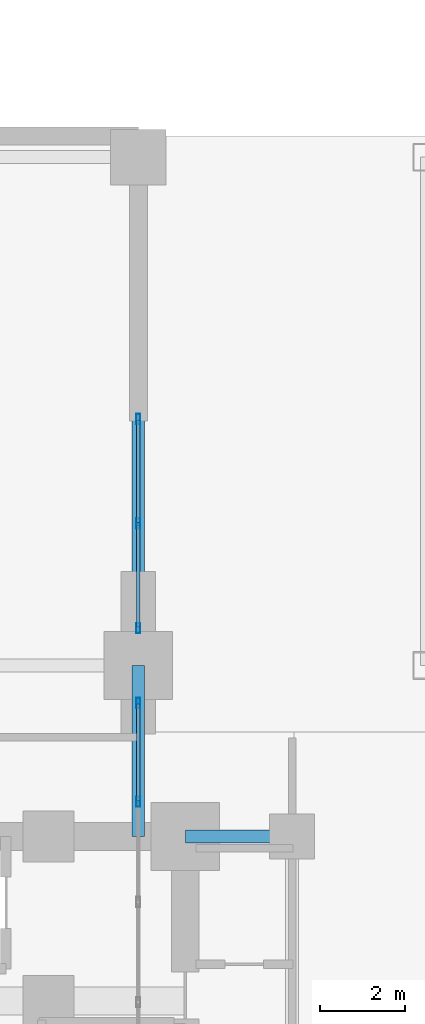
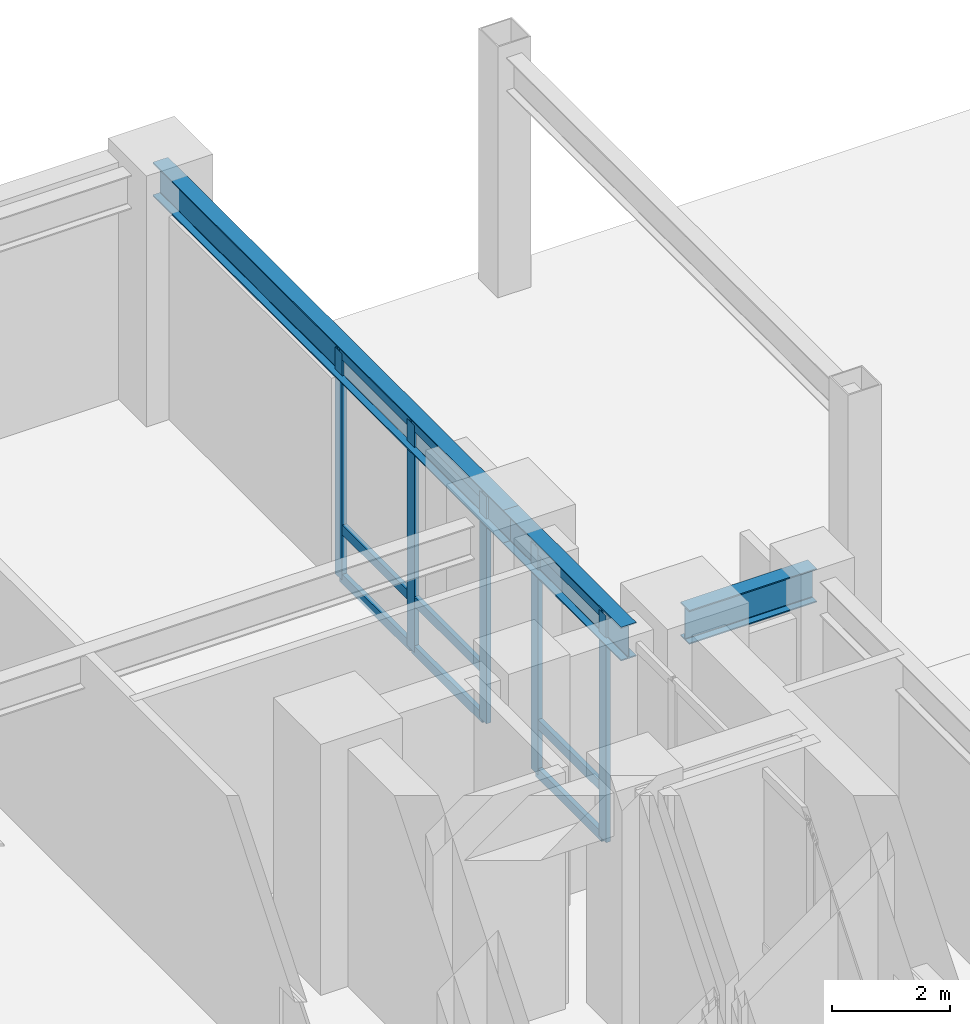
# One storey, part 12 of 23: 14 members, 3 beams, 2 elements without a shape of their own.
"""IFC4 building model written with IfcOpenShell, lengths in metres."""

from ifc_helpers import new_model, si_unit, direction, frame, origin, origin_2d, place, context, subcontext, project, spatial, hollow_rectangle, i_section, extrude, material, layer, layer_set, material_profile, profile_set, type_object, element, aggregate, save


model = new_model("IFC4")

# Units and contexts
model_context = context("Model", 3, precision=1e-05, world=origin(), true_north=direction((0.0, 1.0)))
body_context = subcontext(model_context, "Body", "Model", "MODEL_VIEW")
ifc_project = project(units=[si_unit("LENGTHUNIT", "METRE"), si_unit("AREAUNIT", "SQUARE_METRE"), si_unit("VOLUMEUNIT", "CUBIC_METRE"), si_unit("PLANEANGLEUNIT", "RADIAN"), si_unit("MASSUNIT", "GRAM", prefix="KILO")], contexts=[model_context])

# Site, building, storey
site_placement = place(None, origin())
site = spatial("IfcSite", under=ifc_project, at=site_placement, CompositionType="ELEMENT")
building_placement = place(site_placement, origin())
building = spatial("IfcBuilding", under=site, at=building_placement, Name="Voryun Gate Residences", CompositionType="ELEMENT")
storey_placement = place(building_placement, origin())
storey = spatial("IfcBuildingStorey", under=building, at=storey_placement, Name="L00", CompositionType="ELEMENT", Elevation=0.0)

# Beams
ifc_material_1 = material(Name="Steel SM355", Category="steel")
ifc_material_profile_1 = material_profile(ifc_material_1, i_section(OverallWidth=0.300048828125, OverallDepth=0.699951171875, WebThickness=0.012939453125, FlangeThickness=0.02392578125, FilletRadius=0.01806640625, at=origin_2d()), Name="H-700x300x13x24")
ifc_profile_set_1 = profile_set([ifc_material_profile_1], Name="Steel SM355")
beam_type = type_object("IfcBeamType", Name="BM_GIRD_700", PredefinedType="USERDEFINED", material=ifc_profile_set_1)
beam_1_placement = place(storey_placement, frame((-12.39990234375, 7.39990234375, 4.570068359375), z_axis=(1.0, 0.0, 0.0), x_axis=(0.0, 1.0, 0.0)))
element("IfcBeam", 1, at=beam_1_placement, inside=storey, type_object=beam_type, Name="BM-L00-CLRX-CLR-WN", ObjectType="GIRDER", PredefinedType="USERDEFINED", context=body_context, shape_type="SweptSolid", body=[
    extrude(i_section(OverallWidth=0.300048828125, OverallDepth=0.699951171875, WebThickness=0.012939453125, FlangeThickness=0.02392578125, FilletRadius=0.01806640625, at=origin_2d()), origin(), (0.0, 0.0, 1.0), 2.5),
])
beam_2_placement = place(storey_placement, frame((-13.5, 7.39990234375, 4.570068359375), z_axis=(0.0, 1.0, 0.0), x_axis=(-1.0, 0.0, 0.0)))
element("IfcBeam", 2, at=beam_2_placement, inside=storey, type_object=beam_type, Name="BM-L00-PWYA-+7.4", ObjectType="GIRDER", PredefinedType="USERDEFINED", context=body_context, shape_type="SweptSolid", body=[
    extrude(i_section(OverallWidth=0.300048828125, OverallDepth=0.699951171875, WebThickness=0.012939453125, FlangeThickness=0.02392578125, FilletRadius=0.01806640625, at=origin_2d()), origin(), (0.0, 0.0, 1.0), 4.0),
])
beam_3_placement = place(storey_placement, frame((-13.5, 11.39990234375, 4.570068359375), z_axis=(0.0, 1.0, 0.0), x_axis=(-1.0, 0.0, 0.0)))
element("IfcBeam", 3, at=beam_3_placement, inside=storey, type_object=beam_type, Name="BM-L00-PWYA-+11.4", ObjectType="GIRDER", PredefinedType="USERDEFINED", context=body_context, shape_type="SweptSolid", body=[
    extrude(i_section(OverallWidth=0.300048828125, OverallDepth=0.699951171875, WebThickness=0.012939453125, FlangeThickness=0.02392578125, FilletRadius=0.01806640625, at=origin_2d()), origin(), (0.0, 0.0, 1.0), 11.900146484375),
])

# Curtain wall, members
ifc_material_2 = material(Name="Anodised aluminium", Category="aluminium")
ifc_layer = layer(ifc_material_2, 0.239990234375, Name="CW_SYS_ARCH_DARK_GLASS")
ifc_layer_set = layer_set([ifc_layer], Name="Anodised aluminium")
curtain_wall_type = type_object("IfcCurtainWallType", Name="CW_SYS_ARCH_DARK_GLASS", PredefinedType="NOTDEFINED", material=ifc_layer_set)
curtain_wall_1_placement = place(storey_placement, origin())
curtain_wall_1 = element("IfcCurtainWall", 4, at=curtain_wall_1_placement, inside=storey, type_object=curtain_wall_type, Name="Curtain wall CW2-L00-WP-M", PredefinedType="NOTDEFINED")
ifc_material_3 = material(Name="Anodised aluminium", Category="aluminium")
ifc_material_profile_2 = material_profile(ifc_material_3, hollow_rectangle(XDim=0.090087890625, YDim=0.239990234375, WallThickness=0.006103515625, at=origin_2d()), Name="ALU-MULL-240x90x6")
ifc_profile_set_2 = profile_set([ifc_material_profile_2], Name="Anodised aluminium")
member_type_1 = type_object("IfcMemberType", Name="CW_MULL_ARCH", PredefinedType="MULLION", material=ifc_profile_set_2)
member_1_placement = place(storey_placement, frame((-13.5, 8.20947265625, 0.0), z_axis=(0.0, 0.0, 1.0), x_axis=(-1.0, 0.0, 0.0)))
member_1 = element("IfcMember", 5, at=member_1_placement, type_object=member_type_1, Name="CW2 mullion 9", PredefinedType="MULLION", context=body_context, shape_type="SweptSolid", body=[
    extrude(hollow_rectangle(XDim=0.090087890625, YDim=0.239990234375, WallThickness=0.006103515625, at=origin_2d()), origin(), (0.0, 0.0, 1.0), 4.699951171875),
])
member_2_placement = place(storey_placement, frame((-13.5, 10.52490234375, 0.0), z_axis=(0.0, 0.0, 1.0), x_axis=(-1.0, 0.0, 0.0)))
member_2 = element("IfcMember", 6, at=member_2_placement, type_object=member_type_1, Name="CW2 mullion 10", PredefinedType="MULLION", context=body_context, shape_type="SweptSolid", body=[
    extrude(hollow_rectangle(XDim=0.090087890625, YDim=0.239990234375, WallThickness=0.006103515625, at=origin_2d()), origin(), (0.0, 0.0, 1.0), 4.699951171875),
])

curtain_wall_2_placement = place(storey_placement, origin())
curtain_wall_2 = element("IfcCurtainWall", 7, at=curtain_wall_2_placement, inside=storey, type_object=curtain_wall_type, Name="Curtain wall CW2-L00-WP-N", PredefinedType="NOTDEFINED")
member_3_placement = place(storey_placement, frame((-13.5, 12.27490234375, 0.0), z_axis=(0.0, 0.0, 1.0), x_axis=(-1.0, 0.0, 0.0)))
member_3 = element("IfcMember", 8, at=member_3_placement, type_object=member_type_1, Name="CW2 mullion 1", PredefinedType="MULLION", context=body_context, shape_type="SweptSolid", body=[
    extrude(hollow_rectangle(XDim=0.090087890625, YDim=0.239990234375, WallThickness=0.006103515625, at=origin_2d()), origin(), (0.0, 0.0, 1.0), 4.699951171875),
])
member_4_placement = place(storey_placement, frame((-13.5, 14.722412109375, 0.0), z_axis=(0.0, 0.0, 1.0), x_axis=(-1.0, 0.0, 0.0)))
member_4 = element("IfcMember", 9, at=member_4_placement, type_object=member_type_1, Name="CW2 mullion 2", PredefinedType="MULLION", context=body_context, shape_type="SweptSolid", body=[
    extrude(hollow_rectangle(XDim=0.090087890625, YDim=0.239990234375, WallThickness=0.006103515625, at=origin_2d()), origin(), (0.0, 0.0, 1.0), 4.699951171875),
])
member_5_placement = place(storey_placement, frame((-13.5, 17.169921875, 0.0), z_axis=(0.0, 0.0, 1.0), x_axis=(-1.0, 0.0, 0.0)))
member_5 = element("IfcMember", 10, at=member_5_placement, type_object=member_type_1, Name="CW2 mullion 3", PredefinedType="MULLION", context=body_context, shape_type="SweptSolid", body=[
    extrude(hollow_rectangle(XDim=0.090087890625, YDim=0.239990234375, WallThickness=0.006103515625, at=origin_2d()), origin(), (0.0, 0.0, 1.0), 4.699951171875),
])

# Member
ifc_material_4 = material(Name="Anodised aluminium", Category="aluminium")
ifc_material_profile_3 = material_profile(ifc_material_4, hollow_rectangle(XDim=0.090087890625, YDim=0.199951171875, WallThickness=0.006103515625, at=origin_2d()), Name="ALU-TRAN-200x90x6")
ifc_profile_set_3 = profile_set([ifc_material_profile_3], Name="Anodised aluminium")
member_type_2 = type_object("IfcMemberType", Name="CW_TRAN_ARCH", PredefinedType="USERDEFINED", material=ifc_profile_set_3)
member_6_placement = place(storey_placement, frame((-13.5, 8.239501953125, 0.030029296875), z_axis=(0.0, 1.0, 0.0), x_axis=(-1.0, 0.0, 0.0)))
member_6 = element("IfcMember", 11, at=member_6_placement, type_object=member_type_2, Name="CW2 transom 9.1", ObjectType="TRANSOM", PredefinedType="USERDEFINED", context=body_context, shape_type="SweptSolid", body=[
    extrude(hollow_rectangle(XDim=0.090087890625, YDim=0.199951171875, WallThickness=0.006103515625, at=origin_2d()), origin(), (0.0, 0.0, 1.0), 2.255615234375),
])

member_7_placement = place(storey_placement, frame((-13.5, 8.239501953125, 1.050048828125), z_axis=(0.0, 1.0, 0.0), x_axis=(-1.0, 0.0, 0.0)))
member_7 = element("IfcMember", 12, at=member_7_placement, type_object=member_type_2, Name="CW2 transom 9.2", ObjectType="TRANSOM", PredefinedType="USERDEFINED", context=body_context, shape_type="SweptSolid", body=[
    extrude(hollow_rectangle(XDim=0.090087890625, YDim=0.199951171875, WallThickness=0.006103515625, at=origin_2d()), origin(), (0.0, 0.0, 1.0), 2.255615234375),
])

member_8_placement = place(storey_placement, frame((-13.5, 8.239501953125, 4.669921875), z_axis=(0.0, 1.0, 0.0), x_axis=(-1.0, 0.0, 0.0)))
member_8 = element("IfcMember", 13, at=member_8_placement, type_object=member_type_2, Name="CW2 transom 9.3", ObjectType="TRANSOM", PredefinedType="USERDEFINED", context=body_context, shape_type="SweptSolid", body=[
    extrude(hollow_rectangle(XDim=0.090087890625, YDim=0.199951171875, WallThickness=0.006103515625, at=origin_2d()), origin(), (0.0, 0.0, 1.0), 2.255615234375),
])

aggregate(curtain_wall_1, [member_1, member_2, member_6, member_7, member_8])

member_9_placement = place(storey_placement, frame((-13.5, 12.304931640625, 0.030029296875), z_axis=(0.0, 1.0, 0.0), x_axis=(-1.0, 0.0, 0.0)))
member_9 = element("IfcMember", 14, at=member_9_placement, type_object=member_type_2, Name="CW2 transom 1.1", ObjectType="TRANSOM", PredefinedType="USERDEFINED", context=body_context, shape_type="SweptSolid", body=[
    extrude(hollow_rectangle(XDim=0.090087890625, YDim=0.199951171875, WallThickness=0.006103515625, at=origin_2d()), origin(), (0.0, 0.0, 1.0), 2.387451171875),
])

member_10_placement = place(storey_placement, frame((-13.5, 12.304931640625, 1.050048828125), z_axis=(0.0, 1.0, 0.0), x_axis=(-1.0, 0.0, 0.0)))
member_10 = element("IfcMember", 15, at=member_10_placement, type_object=member_type_2, Name="CW2 transom 1.2", ObjectType="TRANSOM", PredefinedType="USERDEFINED", context=body_context, shape_type="SweptSolid", body=[
    extrude(hollow_rectangle(XDim=0.090087890625, YDim=0.199951171875, WallThickness=0.006103515625, at=origin_2d()), origin(), (0.0, 0.0, 1.0), 2.387451171875),
])

member_11_placement = place(storey_placement, frame((-13.5, 12.304931640625, 4.669921875), z_axis=(0.0, 1.0, 0.0), x_axis=(-1.0, 0.0, 0.0)))
member_11 = element("IfcMember", 16, at=member_11_placement, type_object=member_type_2, Name="CW2 transom 1.3", ObjectType="TRANSOM", PredefinedType="USERDEFINED", context=body_context, shape_type="SweptSolid", body=[
    extrude(hollow_rectangle(XDim=0.090087890625, YDim=0.199951171875, WallThickness=0.006103515625, at=origin_2d()), origin(), (0.0, 0.0, 1.0), 2.387451171875),
])

member_12_placement = place(storey_placement, frame((-13.5, 14.75244140625, 0.030029296875), z_axis=(0.0, 1.0, 0.0), x_axis=(-1.0, 0.0, 0.0)))
member_12 = element("IfcMember", 17, at=member_12_placement, type_object=member_type_2, Name="CW2 transom 2.1", ObjectType="TRANSOM", PredefinedType="USERDEFINED", context=body_context, shape_type="SweptSolid", body=[
    extrude(hollow_rectangle(XDim=0.090087890625, YDim=0.199951171875, WallThickness=0.006103515625, at=origin_2d()), origin(), (0.0, 0.0, 1.0), 2.387451171875),
])

member_13_placement = place(storey_placement, frame((-13.5, 14.75244140625, 1.050048828125), z_axis=(0.0, 1.0, 0.0), x_axis=(-1.0, 0.0, 0.0)))
member_13 = element("IfcMember", 18, at=member_13_placement, type_object=member_type_2, Name="CW2 transom 2.2", ObjectType="TRANSOM", PredefinedType="USERDEFINED", context=body_context, shape_type="SweptSolid", body=[
    extrude(hollow_rectangle(XDim=0.090087890625, YDim=0.199951171875, WallThickness=0.006103515625, at=origin_2d()), origin(), (0.0, 0.0, 1.0), 2.387451171875),
])

member_14_placement = place(storey_placement, frame((-13.5, 14.75244140625, 4.669921875), z_axis=(0.0, 1.0, 0.0), x_axis=(-1.0, 0.0, 0.0)))
member_14 = element("IfcMember", 19, at=member_14_placement, type_object=member_type_2, Name="CW2 transom 2.3", ObjectType="TRANSOM", PredefinedType="USERDEFINED", context=body_context, shape_type="SweptSolid", body=[
    extrude(hollow_rectangle(XDim=0.090087890625, YDim=0.199951171875, WallThickness=0.006103515625, at=origin_2d()), origin(), (0.0, 0.0, 1.0), 2.387451171875),
])

aggregate(curtain_wall_2, [member_3, member_4, member_5, member_9, member_10, member_11, member_12, member_13, member_14])

save(model, "model.ifc")
